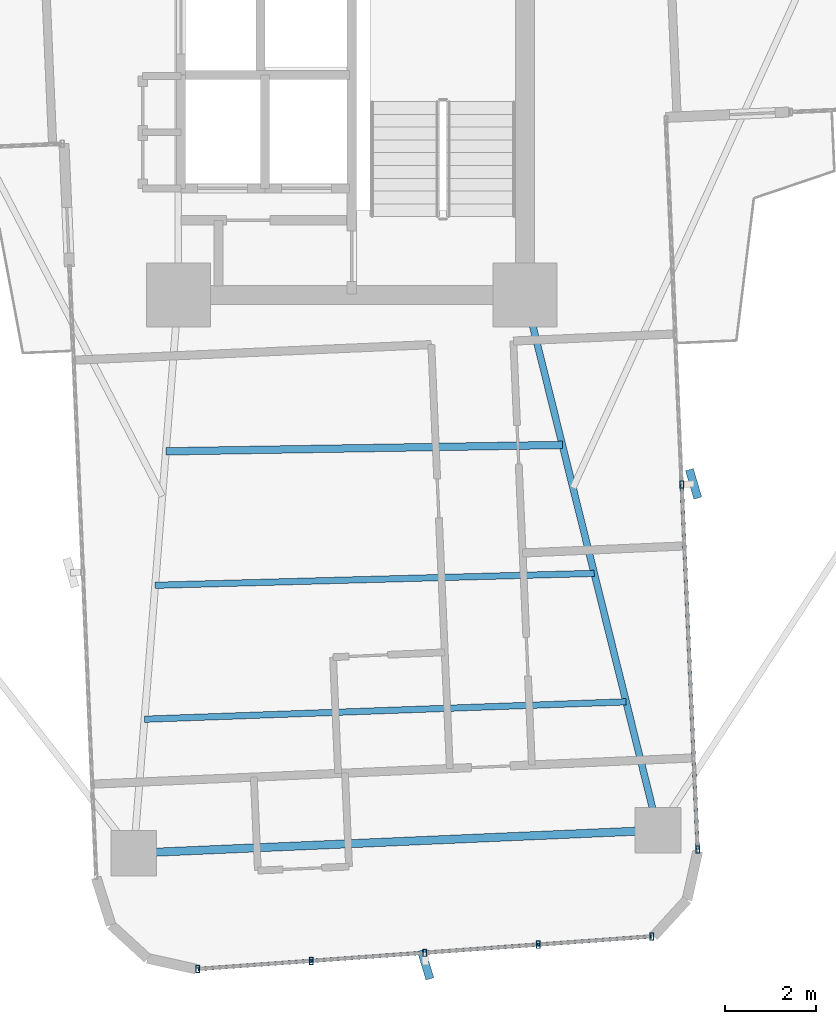
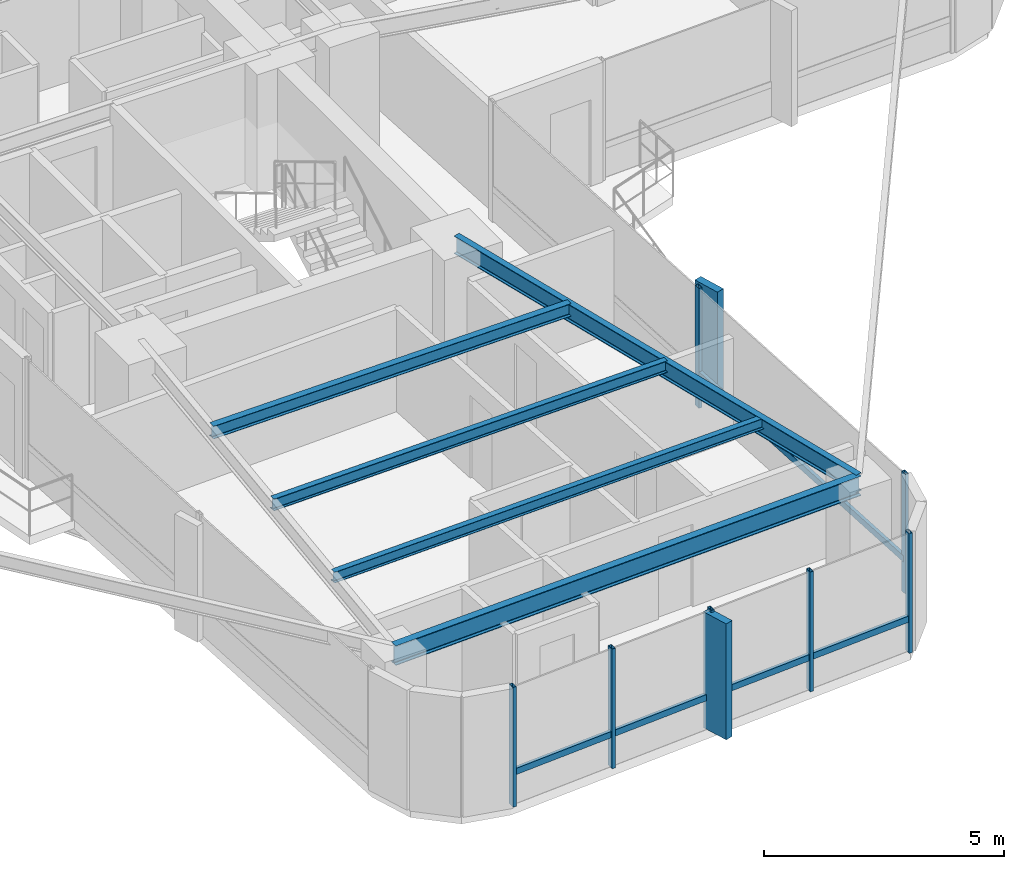
# One storey, part 6 of 27: 14 members, 5 beams, 2 elements without a shape of their own.
"""IFC4 building model written with IfcOpenShell, lengths in metres."""

from ifc_helpers import new_model, si_unit, direction, frame, origin, origin_2d, place, context, subcontext, project, spatial, rectangle, hollow_rectangle, i_section, extrude, source, transform, mapped, material, material_profile, profile_set, type_object, element, aggregate, save


model = new_model("IFC4")

# Units and contexts
model_context = context("Model", 3, precision=1e-05, world=origin(), true_north=direction((0.0, 1.0)))
body_context = subcontext(model_context, "Body", "Model", "MODEL_VIEW")
ifc_project = project(units=[si_unit("LENGTHUNIT", "METRE"), si_unit("AREAUNIT", "SQUARE_METRE"), si_unit("VOLUMEUNIT", "CUBIC_METRE"), si_unit("PLANEANGLEUNIT", "RADIAN"), si_unit("MASSUNIT", "GRAM", prefix="KILO")], contexts=[model_context])

# Site, building, storey
site_placement = place(None, origin())
site = spatial("IfcSite", under=ifc_project, at=site_placement, CompositionType="ELEMENT")
building_placement = place(site_placement, origin())
building = spatial("IfcBuilding", under=site, at=building_placement, Name="Sahyath Konkavel Grand Hotel", CompositionType="ELEMENT")
storey_placement = place(building_placement, frame((0.0, 0.0, 103.60009765625)))
storey = spatial("IfcBuildingStorey", under=building, at=storey_placement, Name="L28", CompositionType="ELEMENT", Elevation=103.60009765625)

# Beams
ifc_material_1 = material(Name="Steel E350", Category="steel")
ifc_material_profile_1 = material_profile(ifc_material_1, i_section(OverallWidth=0.14990234375, OverallDepth=0.449951171875, WebThickness=0.009521484375, FlangeThickness=0.017333984375, FilletRadius=0.014892578125, at=origin_2d()), Name="ISMB 450")
ifc_profile_set_1 = profile_set([ifc_material_profile_1], Name="Steel E350")
beam_type_1 = type_object("IfcBeamType", Name="BM-ISMB450", PredefinedType="BEAM", material=ifc_profile_set_1)
shared_shape_1 = source(origin(), body_context, "Body", "SweptSolid", [
    extrude(i_section(OverallWidth=0.14990234375, OverallDepth=0.449951171875, WebThickness=0.009521484375, FlangeThickness=0.017333984375, FilletRadius=0.014892578125, at=origin_2d()), origin(), (0.0, 0.0, 1.0), 12.084228515625),
])
beam_1_placement = place(storey_placement, frame((3.800048828125, -10.199951171875, 2.824951171875), z_axis=(0.241042688481, -0.970514514229, 0.0), x_axis=(0.970514514229, 0.241042688481, 0.0)))
element("IfcBeam", 1, at=beam_1_placement, inside=storey, type_object=beam_type_1, Name="L28 Cruciform Radial Girder SB", PredefinedType="BEAM", context=body_context, shape_type="MappedRepresentation", body=[
    mapped(shared_shape_1, transform((0.0, 0.0, 0.0), scale=1.0)),
])
ifc_material_profile_2 = material_profile(ifc_material_1, i_section(OverallWidth=0.179931640625, OverallDepth=0.5, WebThickness=0.01025390625, FlangeThickness=0.01708984375, FilletRadius=0.01708984375, at=origin_2d()), Name="ISMB 500")
ifc_profile_set_2 = profile_set([ifc_material_profile_2], Name="Steel E350")
beam_type_2 = type_object("IfcBeamType", Name="BM-ISMB500", PredefinedType="BEAM", material=ifc_profile_set_2)
shared_shape_2 = source(origin(), body_context, "Body", "SweptSolid", [
    extrude(i_section(OverallWidth=0.179931640625, OverallDepth=0.5, WebThickness=0.01025390625, FlangeThickness=0.01708984375, FilletRadius=0.01708984375, at=origin_2d()), origin(), (0.0, 0.0, 1.0), 11.5),
])
beam_2_placement = place(storey_placement, frame((-4.776123046875, -22.4296875, 2.7998046875), z_axis=(0.99904788879, 0.043627008892, 0.0), x_axis=(-0.043627008892, 0.99904788879, 0.0)))
element("IfcBeam", 2, at=beam_2_placement, inside=storey, type_object=beam_type_2, Name="L28 Wing Tip Edge Beam S", PredefinedType="BEAM", context=body_context, shape_type="MappedRepresentation", body=[
    mapped(shared_shape_2, transform((0.0, 0.0, 0.0), scale=1.0)),
])
ifc_material_profile_3 = material_profile(ifc_material_1, i_section(OverallWidth=0.1650390625, OverallDepth=0.324951171875, WebThickness=0.007080078125, FlangeThickness=0.009765625, FilletRadius=0.014892578125, at=origin_2d()), Name="ISLB 325")
ifc_profile_set_3 = profile_set([ifc_material_profile_3], Name="Steel E350")
beam_type_3 = type_object("IfcBeamType", Name="BM-ISLB325", PredefinedType="BEAM", material=ifc_profile_set_3)
shared_shape_3 = source(origin(), body_context, "Body", "SweptSolid", [
    extrude(i_section(OverallWidth=0.1650390625, OverallDepth=0.324951171875, WebThickness=0.007080078125, FlangeThickness=0.009765625, FilletRadius=0.014892578125, at=origin_2d()), origin(), (0.0, 0.0, 1.0), 8.68994140625),
])
beam_3_placement = place(storey_placement, frame((-4.0732421875, -13.624267578125, 2.887451171875), z_axis=(0.999869506431, 0.016154569283, 0.0), x_axis=(-0.016154569283, 0.999869506431, 0.0)))
element("IfcBeam", 3, at=beam_3_placement, inside=storey, type_object=beam_type_3, Name="L28 Secondary Floor Beam S-1", PredefinedType="BEAM", context=body_context, shape_type="MappedRepresentation", body=[
    mapped(shared_shape_3, transform((0.0, 0.0, 0.0), scale=1.0)),
])
ifc_material_profile_4 = material_profile(ifc_material_1, i_section(OverallWidth=0.139892578125, OverallDepth=0.300048828125, WebThickness=0.0078125, FlangeThickness=0.01318359375, FilletRadius=0.013916015625, at=origin_2d()), Name="ISMB 300")
ifc_profile_set_4 = profile_set([ifc_material_profile_4], Name="Steel E350")
beam_type_4 = type_object("IfcBeamType", Name="BM-ISMB300", PredefinedType="BEAM", material=ifc_profile_set_4)
shared_shape_4 = source(origin(), body_context, "Body", "SweptSolid", [
    extrude(i_section(OverallWidth=0.139892578125, OverallDepth=0.300048828125, WebThickness=0.0078125, FlangeThickness=0.01318359375, FilletRadius=0.013916015625, at=origin_2d()), origin(), (0.0, 0.0, 1.0), 9.625732421875),
])
beam_4_placement = place(storey_placement, frame((-4.3076171875, -16.559326171875, 2.89990234375), z_axis=(0.999633060528, 0.027087714933, 0.0), x_axis=(-0.027087714933, 0.999633060528, 0.0)))
element("IfcBeam", 4, at=beam_4_placement, inside=storey, type_object=beam_type_4, Name="L28 Secondary Floor Beam S-2", PredefinedType="BEAM", context=body_context, shape_type="MappedRepresentation", body=[
    mapped(shared_shape_4, transform((0.0, 0.0, 0.0), scale=1.0)),
])
ifc_material_profile_5 = material_profile(ifc_material_1, i_section(OverallWidth=0.139892578125, OverallDepth=0.27490234375, WebThickness=0.00634765625, FlangeThickness=0.0087890625, FilletRadius=0.012939453125, at=origin_2d()), Name="ISLB 275")
ifc_profile_set_5 = profile_set([ifc_material_profile_5], Name="Steel E350")
beam_type_5 = type_object("IfcBeamType", Name="BM-ISLB275", PredefinedType="BEAM", material=ifc_profile_set_5)
shared_shape_5 = source(origin(), body_context, "Body", "SweptSolid", [
    extrude(i_section(OverallWidth=0.139892578125, OverallDepth=0.27490234375, WebThickness=0.00634765625, FlangeThickness=0.0087890625, FilletRadius=0.012939453125, at=origin_2d()), origin(), (0.0, 0.0, 1.0), 10.562744140625),
])
beam_5_placement = place(storey_placement, frame((-4.5419921875, -19.49462890625, 2.912353515625), z_axis=(0.999348077295, 0.036102914095, 0.0), x_axis=(-0.036102914095, 0.999348077295, 0.0)))
element("IfcBeam", 5, at=beam_5_placement, inside=storey, type_object=beam_type_5, Name="L28 Secondary Floor Beam S-3", PredefinedType="BEAM", context=body_context, shape_type="MappedRepresentation", body=[
    mapped(shared_shape_5, transform((0.0, 0.0, 0.0), scale=1.0)),
])

# Curtain wall, members
ifc_material_2 = material(Name="Anodised Bronze Aluminium & Low-E Glazing", Category="aluminium")
curtain_wall_type = type_object("IfcCurtainWallType", Name="CW-ZONE2", PredefinedType="NOTDEFINED", material=ifc_material_2)
curtain_wall_1_placement = place(storey_placement, origin())
curtain_wall_1 = element("IfcCurtainWall", 6, at=curtain_wall_1_placement, inside=storey, type_object=curtain_wall_type, Name="L28 Unitised Curtain Wall F28", PredefinedType="NOTDEFINED")
ifc_material_3 = material(Name="Anodised Bronze Aluminium", Category="aluminium")
ifc_material_profile_6 = material_profile(ifc_material_3, hollow_rectangle(XDim=0.080078125, YDim=0.159912109375, WallThickness=0.006103515625, at=origin_2d()), Name="RHS 160x80x6")
ifc_profile_set_6 = profile_set([ifc_material_profile_6], Name="Anodised Bronze Aluminium")
member_type_1 = type_object("IfcMemberType", Name="CW-TRN-160", PredefinedType="USERDEFINED", material=ifc_profile_set_6)
shared_shape_6 = source(origin(), body_context, "Body", "SweptSolid", [
    extrude(hollow_rectangle(XDim=0.080078125, YDim=0.159912109375, WallThickness=0.006103515625, at=origin_2d()), origin(), (0.0, 0.0, 1.0), 2.493408203125),
])
member_1_placement = place(storey_placement, frame((-3.3740234375, -24.9697265625, 0.849853515625), z_axis=(0.997442271688, 0.071476672066, 0.0), x_axis=(-0.071476672066, 0.997442271688, 0.0)))
member_1 = element("IfcMember", 7, at=member_1_placement, type_object=member_type_1, Name="L28 Curtain Wall Transom F28-0-spandrel", ObjectType="TRANSOM", PredefinedType="USERDEFINED", context=body_context, shape_type="MappedRepresentation", body=[
    mapped(shared_shape_6, transform((0.0, 0.0, 0.0), scale=1.0)),
])
member_2_placement = place(storey_placement, frame((-0.886962890625, -24.79150390625, 0.849853515625), z_axis=(0.997428291631, 0.071671494009, 0.0), x_axis=(-0.071671494009, 0.997428291631, 0.0)))
member_2 = element("IfcMember", 8, at=member_2_placement, type_object=member_type_1, Name="L28 Curtain Wall Transom F28-1-spandrel", ObjectType="TRANSOM", PredefinedType="USERDEFINED", context=body_context, shape_type="MappedRepresentation", body=[
    mapped(shared_shape_6, transform((0.0, 0.0, 0.0), scale=1.0)),
])
member_3_placement = place(storey_placement, frame((1.60009765625, -24.61279296875, 0.849853515625), z_axis=(0.997442271688, 0.071476672066, 0.0), x_axis=(-0.071476672066, 0.997442271688, 0.0)))
member_3 = element("IfcMember", 9, at=member_3_placement, type_object=member_type_1, Name="L28 Curtain Wall Transom F28-2-spandrel", ObjectType="TRANSOM", PredefinedType="USERDEFINED", context=body_context, shape_type="MappedRepresentation", body=[
    mapped(shared_shape_6, transform((0.0, 0.0, 0.0), scale=1.0)),
])
member_4_placement = place(storey_placement, frame((4.087158203125, -24.4345703125, 0.849853515625), z_axis=(0.997435286367, 0.071574084062, 0.0), x_axis=(-0.071574084062, 0.997435286367, 0.0)))
member_4 = element("IfcMember", 10, at=member_4_placement, type_object=member_type_1, Name="L28 Curtain Wall Transom F28-3-spandrel", ObjectType="TRANSOM", PredefinedType="USERDEFINED", context=body_context, shape_type="MappedRepresentation", body=[
    mapped(shared_shape_6, transform((0.0, 0.0, 0.0), scale=1.0)),
])

# Curtain wall, member
curtain_wall_2_placement = place(storey_placement, origin())
curtain_wall_2 = element("IfcCurtainWall", 11, at=curtain_wall_2_placement, inside=storey, type_object=curtain_wall_type, Name="L28 Unitised Curtain Wall F31", PredefinedType="NOTDEFINED")
shared_shape_7 = source(origin(), body_context, "Body", "SweptSolid", [
    extrude(hollow_rectangle(XDim=0.080078125, YDim=0.159912109375, WallThickness=0.006103515625, at=origin_2d()), origin(), (0.0, 0.0, 1.0), 8.010009765625),
])
member_5_placement = place(storey_placement, frame((7.582275390625, -22.3505859375, 0.849853515625), z_axis=(-0.043646207089, 0.999047050247, 0.0), x_axis=(-0.999047050247, -0.043646207089, 0.0)))
member_5 = element("IfcMember", 12, at=member_5_placement, type_object=member_type_1, Name="L28 Curtain Wall Transom F31-0-spandrel", ObjectType="TRANSOM", PredefinedType="USERDEFINED", context=body_context, shape_type="MappedRepresentation", body=[
    mapped(shared_shape_7, transform((0.0, 0.0, 0.0), scale=1.0)),
])

# Member
ifc_material_profile_7 = material_profile(ifc_material_3, hollow_rectangle(XDim=0.080078125, YDim=0.159912109375, WallThickness=0.006103515625, at=origin_2d()), Name="RHS 160x80x6")
ifc_profile_set_7 = profile_set([ifc_material_profile_7], Name="Anodised Bronze Aluminium")
member_type_2 = type_object("IfcMemberType", Name="CW-MUL-160", PredefinedType="MULLION", material=ifc_profile_set_7)
shared_shape_8 = source(origin(), body_context, "Body", "SweptSolid", [
    extrude(hollow_rectangle(XDim=0.080078125, YDim=0.159912109375, WallThickness=0.006103515625, at=origin_2d()), origin(), (0.0, 0.0, 1.0), 3.0498046875),
])
member_6_placement = place(storey_placement, frame((-3.3740234375, -24.9697265625, 0.0), z_axis=(0.0, 0.0, 1.0), x_axis=(1.0, 0.0, 0.0)))
member_6 = element("IfcMember", 13, at=member_6_placement, type_object=member_type_2, Name="L28 Curtain Wall Mullion F28-0", PredefinedType="MULLION", context=body_context, shape_type="MappedRepresentation", body=[
    mapped(shared_shape_8, transform((0.0, 0.0, 0.0), scale=1.0)),
])

member_7_placement = place(storey_placement, frame((-0.886962890625, -24.79150390625, 0.0), z_axis=(0.0, 0.0, 1.0), x_axis=(1.0, 0.0, 0.0)))
member_7 = element("IfcMember", 14, at=member_7_placement, type_object=member_type_2, Name="L28 Curtain Wall Mullion F28-1", PredefinedType="MULLION", context=body_context, shape_type="MappedRepresentation", body=[
    mapped(shared_shape_8, transform((0.0, 0.0, 0.0), scale=1.0)),
])

member_8_placement = place(storey_placement, frame((1.60009765625, -24.61279296875, 0.0), z_axis=(0.0, 0.0, 1.0), x_axis=(1.0, 0.0, 0.0)))
member_8 = element("IfcMember", 15, at=member_8_placement, type_object=member_type_2, Name="L28 Curtain Wall Mullion F28-2", PredefinedType="MULLION", context=body_context, shape_type="MappedRepresentation", body=[
    mapped(shared_shape_8, transform((0.0, 0.0, 0.0), scale=1.0)),
])

member_9_placement = place(storey_placement, frame((4.087158203125, -24.4345703125, 0.0), z_axis=(0.0, 0.0, 1.0), x_axis=(1.0, 0.0, 0.0)))
member_9 = element("IfcMember", 16, at=member_9_placement, type_object=member_type_2, Name="L28 Curtain Wall Mullion F28-3", PredefinedType="MULLION", context=body_context, shape_type="MappedRepresentation", body=[
    mapped(shared_shape_8, transform((0.0, 0.0, 0.0), scale=1.0)),
])

member_10_placement = place(storey_placement, frame((6.57421875, -24.256103515625, 0.0), z_axis=(0.0, 0.0, 1.0), x_axis=(1.0, 0.0, 0.0)))
member_10 = element("IfcMember", 17, at=member_10_placement, type_object=member_type_2, Name="L28 Curtain Wall Mullion F28-4", PredefinedType="MULLION", context=body_context, shape_type="MappedRepresentation", body=[
    mapped(shared_shape_8, transform((0.0, 0.0, 0.0), scale=1.0)),
])

member_11_placement = place(storey_placement, frame((7.582275390625, -22.3505859375, 0.0), z_axis=(0.0, 0.0, 1.0), x_axis=(1.0, 0.0, 0.0)))
member_11 = element("IfcMember", 18, at=member_11_placement, type_object=member_type_2, Name="L28 Curtain Wall Mullion F31-0", PredefinedType="MULLION", context=body_context, shape_type="MappedRepresentation", body=[
    mapped(shared_shape_8, transform((0.0, 0.0, 0.0), scale=1.0)),
])

member_12_placement = place(storey_placement, frame((7.232666015625, -14.34814453125, 0.0), z_axis=(0.0, 0.0, 1.0), x_axis=(1.0, 0.0, 0.0)))
member_12 = element("IfcMember", 19, at=member_12_placement, type_object=member_type_2, Name="L28 Curtain Wall Mullion F31-1", PredefinedType="MULLION", context=body_context, shape_type="MappedRepresentation", body=[
    mapped(shared_shape_8, transform((0.0, 0.0, 0.0), scale=1.0)),
])

ifc_material_4 = material(Name="Warm Buff Sandstone Cladding on Concrete C50/60", Category="masonry")
ifc_material_profile_8 = material_profile(ifc_material_4, rectangle(XDim=0.179931640625, YDim=0.64990234375, at=origin_2d()), Name="FIN 180x650")
ifc_profile_set_8 = profile_set([ifc_material_profile_8], Name="Warm Buff Sandstone Cladding on Concrete C50/60")
member_type_3 = type_object("IfcMemberType", Name="FIN-SANDSTONE-650", PredefinedType="MULLION", material=ifc_profile_set_8)
shared_shape_9 = source(origin(), body_context, "Body", "SweptSolid", [
    extrude(rectangle(XDim=0.179931640625, YDim=0.64990234375, at=origin_2d()), origin(), (0.0, 0.0, 1.0), 2.9501953125),
])
member_13_placement = place(storey_placement, frame((1.61865234375, -24.872314453125, 0.0498046875), z_axis=(0.0, 0.0, 1.0), x_axis=(0.957117481996, 0.289700061544, 0.0)))
member_13 = element("IfcMember", 20, at=member_13_placement, type_object=member_type_3, Name="L28 Sandstone Vertical Solar Fin FIN F28-2", PredefinedType="MULLION", context=body_context, shape_type="MappedRepresentation", body=[
    mapped(shared_shape_9, transform((0.0, 0.0, 0.0), scale=1.0)),
])

aggregate(curtain_wall_1, [member_6, member_7, member_8, member_13, member_9, member_10, member_1, member_2, member_3, member_4])

member_14_placement = place(storey_placement, frame((7.492431640625, -14.3369140625, 0.0498046875), z_axis=(0.0, 0.0, 1.0), x_axis=(0.959264682049, 0.282508884416, 0.0)))
member_14 = element("IfcMember", 21, at=member_14_placement, type_object=member_type_3, Name="L28 Sandstone Vertical Solar Fin FIN F31-1", PredefinedType="MULLION", context=body_context, shape_type="MappedRepresentation", body=[
    mapped(shared_shape_9, transform((0.0, 0.0, 0.0), scale=1.0)),
])

aggregate(curtain_wall_2, [member_11, member_12, member_14, member_5])

save(model, "model.ifc")
